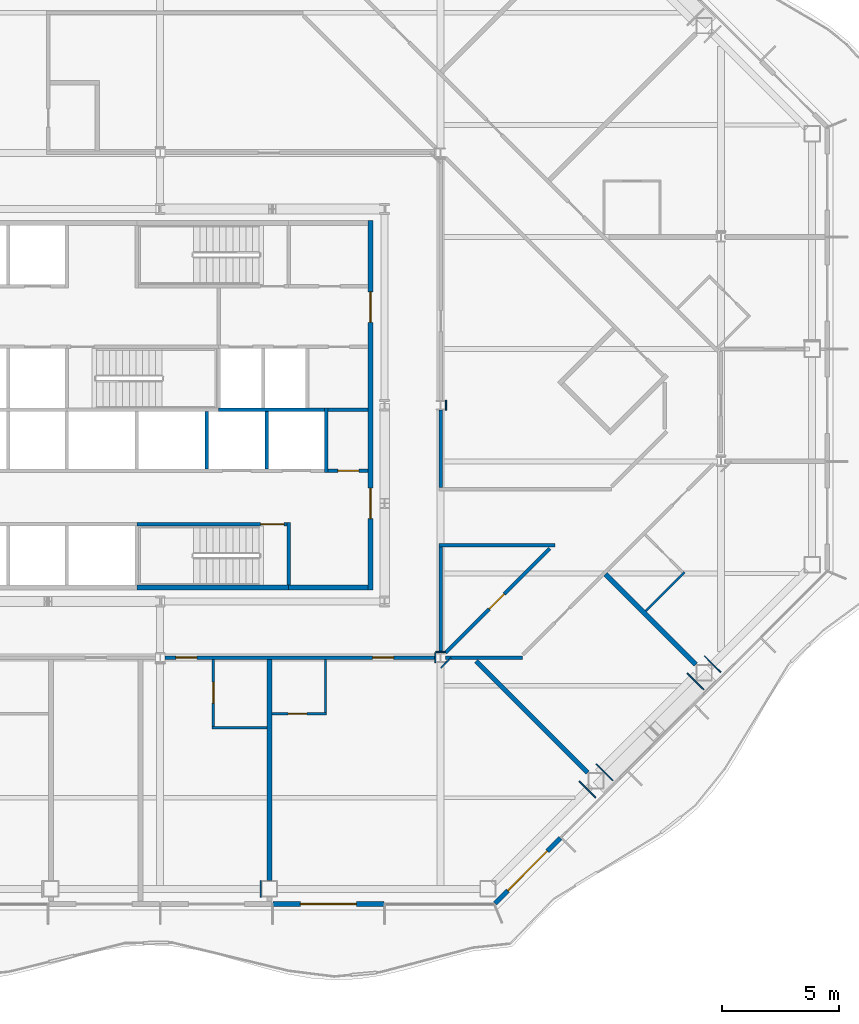
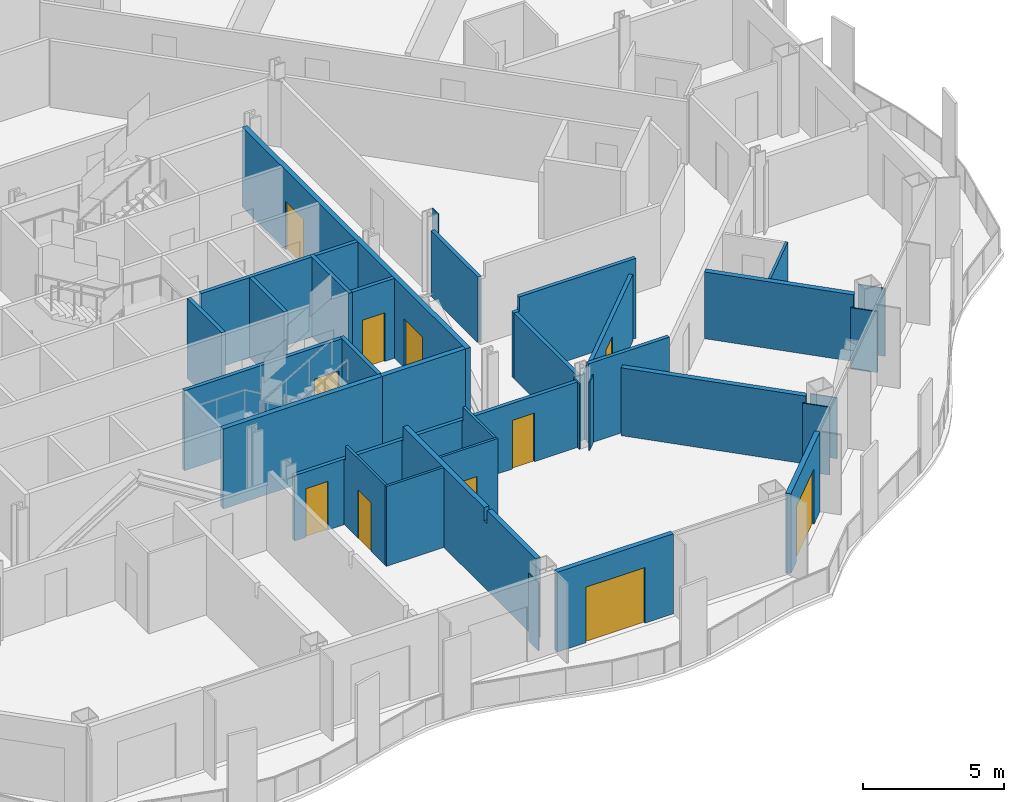
# One storey, part 9 of 21: 36 walls, 11 doors, 11 openings.
"""IFC4 building model written with IfcOpenShell, lengths in metres."""

from ifc_helpers import new_model, si_unit, direction, frame, frame_2d, origin, place, context, subcontext, project, spatial, polyline, rectangle, outline, extrude, material, layer, layer_set, type_object, element, fill, save


model = new_model("IFC4")

# Units and contexts
model_context = context("Model", 3, precision=1e-05, world=origin(), true_north=direction((0.0, 1.0)))
body_context = subcontext(model_context, "Body", "Model", "MODEL_VIEW")
ifc_project = project(units=[si_unit("LENGTHUNIT", "METRE"), si_unit("AREAUNIT", "SQUARE_METRE"), si_unit("VOLUMEUNIT", "CUBIC_METRE"), si_unit("PLANEANGLEUNIT", "RADIAN"), si_unit("MASSUNIT", "GRAM", prefix="KILO")], contexts=[model_context])

# Site, building, storey
site_placement = place(None, origin())
site = spatial("IfcSite", under=ifc_project, at=site_placement, CompositionType="ELEMENT")
building_placement = place(site_placement, origin())
building = spatial("IfcBuilding", under=site, at=building_placement, Name="Cairn Pilgrim Tower", CompositionType="ELEMENT")
storey_placement = place(building_placement, frame((0.0, 0.0, 129.0)))
storey = spatial("IfcBuildingStorey", under=building, at=storey_placement, Name="L31", CompositionType="ELEMENT", Elevation=129.0)

# Wall, opening, door
ifc_material_1 = material(Name="Bronze anodised aluminium insulated sandwich panel with mineral wool fill", Category="aluminium")
ifc_layer_1 = layer(ifc_material_1, 0.199951171875)
ifc_layer_set_1 = layer_set([ifc_layer_1], Name="BRONZE INFILL FRAME WALL 200")
wall_type_1 = type_object("IfcWallType", Name="BRONZE INFILL FRAME WALL 200", PredefinedType="NOTDEFINED", material=ifc_layer_set_1)
wall_1_placement = place(storey_placement, frame((12.030029296875, -18.949951171875, 0.0), z_axis=(0.0, 0.0, 1.0), x_axis=(1.0, 0.0, 0.0)))
wall_1 = element("IfcWall", 1, at=wall_1_placement, inside=storey, type_object=wall_type_1, Name="Bronze infill frame wall IW-S5", PredefinedType="NOTDEFINED", context=body_context, shape_type="SweptSolid", body=[
    extrude(rectangle(XDim=4.739990234375, YDim=0.199951171875, at=frame_2d((2.3701171875, 0.0))), origin(), (0.0, 0.0, 1.0), 3.449951171875),
])
opening_1_placement = place(wall_1_placement, frame((1.169677734375, 0.0, 0.0)))
opening_1 = element("IfcOpeningElement", 2, at=opening_1_placement, cuts=wall_1, Name="Opening 3102B", PredefinedType="OPENING", context=body_context, shape_type="SweptSolid", body=[
    extrude(rectangle(XDim=2.39990234375, YDim=2.39990234375, at=frame_2d((1.199951171875, 1.199951171875))), frame((0.0, 0.10986328125, 0.0), z_axis=(0.0, -1.0, 0.0), x_axis=(1.0, 0.0, 0.0)), (0.0, 0.0, 1.0), 0.219970703125),
])
ifc_material_2 = material(Name="Bronze anodised aluminium frame with tinted low-E glass", Category="aluminium")
door_type_1 = type_object("IfcDoorType", Name="BALCONY SLIDING DOOR 2400x2400", OperationType="DOUBLE_DOOR_SLIDING", PredefinedType="DOOR", material=ifc_material_2)
door_1_placement = place(opening_1_placement, origin())
door_1 = element("IfcDoor", 3, at=door_1_placement, inside=storey, type_object=door_type_1, Name="Balcony sliding door 3102B", OperationType="SINGLE_SWING_LEFT", OverallHeight=2.39990234375, OverallWidth=2.39990234375, PredefinedType="DOOR", context=body_context, shape_type="SweptSolid", body=[
    extrude(rectangle(XDim=2.39990234375, YDim=2.39990234375, at=frame_2d((1.199951171875, 1.199951171875))), frame((0.0, 0.02490234375, 0.0), z_axis=(0.0, -1.0, 0.0), x_axis=(1.0, 0.0, 0.0)), (0.0, 0.0, 1.0), 0.050048828125),
])
fill(opening_1, door_1)

wall_2_placement = place(storey_placement, frame((21.524658203125, -18.921630859375, 0.0), z_axis=(0.0, 0.0, 1.0), x_axis=(0.707137595296, 0.707075965734, 0.0)))
wall_2 = element("IfcWall", 4, at=wall_2_placement, inside=storey, type_object=wall_type_1, Name="Bronze infill frame wall IW-SE1", PredefinedType="NOTDEFINED", context=body_context, shape_type="SweptSolid", body=[
    extrude(rectangle(XDim=3.96142578125, YDim=0.199951171875, at=frame_2d((1.980712890625, 0.0))), origin(), (0.0, 0.0, 1.0), 3.449951171875),
])
opening_2_placement = place(wall_2_placement, frame((0.775390625, 0.0, 0.0)))
opening_2 = element("IfcOpeningElement", 5, at=opening_2_placement, cuts=wall_2, Name="Opening 3102B2", PredefinedType="OPENING", context=body_context, shape_type="SweptSolid", body=[
    extrude(rectangle(XDim=2.39990234375, YDim=2.39990234375, at=frame_2d((1.199951171875, 1.199951171875))), frame((0.0, 0.10986328125, 0.0), z_axis=(0.0, -1.0, 0.0), x_axis=(1.0, 0.0, 0.0)), (0.0, 0.0, 1.0), 0.219970703125),
])
door_2_placement = place(opening_2_placement, origin())
door_2 = element("IfcDoor", 6, at=door_2_placement, inside=storey, type_object=door_type_1, Name="Balcony sliding door 3102B2", OperationType="SINGLE_SWING_LEFT", OverallHeight=2.39990234375, OverallWidth=2.39990234375, PredefinedType="DOOR", context=body_context, shape_type="SweptSolid", body=[
    extrude(rectangle(XDim=2.39990234375, YDim=2.39990234375, at=frame_2d((1.199951171875, 1.199951171875))), frame((0.0, 0.02490234375, 0.0), z_axis=(0.0, -1.0, 0.0), x_axis=(1.0, 0.0, 0.0)), (0.0, 0.0, 1.0), 0.050048828125),
])
fill(opening_2, door_2)

# Wall
ifc_material_3 = material(Name="Concrete C32/40", Category="concrete")
ifc_layer_2 = layer(ifc_material_3, 0.199951171875)
ifc_layer_set_2 = layer_set([ifc_layer_2], Name="CORE OUTER WALL 200 EI 120")
wall_type_2 = type_object("IfcWallType", Name="CORE OUTER WALL 200 EI 120", PredefinedType="SOLIDWALL", material=ifc_layer_set_2)
wall_3_placement = place(storey_placement, frame((12.699951171875, -5.39990234375, 0.0), z_axis=(0.0, 0.0, 1.0), x_axis=(1.0, 0.0, 0.0)))
element("IfcWall", 7, at=wall_3_placement, inside=storey, type_object=wall_type_2, Name="CW:L31:H01-3", PredefinedType="SOLIDWALL", context=body_context, shape_type="SweptSolid", body=[
    extrude(rectangle(XDim=3.400146484375, YDim=0.199951171875, at=frame_2d((1.7001953125, 0.0))), origin(), (0.0, 0.0, 1.0), 3.449951171875),
])

# Wall, openings, doors
wall_4_placement = place(storey_placement, frame((16.199951171875, -5.5, 0.0), z_axis=(0.0, 0.0, 1.0), x_axis=(0.0, 1.0, 0.0)))
wall_4 = element("IfcWall", 8, at=wall_4_placement, inside=storey, type_object=wall_type_2, Name="CW:L31:V32", PredefinedType="SOLIDWALL", context=body_context, shape_type="SweptSolid", body=[
    extrude(rectangle(XDim=15.800048828125, YDim=0.199951171875, at=frame_2d((7.89990234375, 0.0))), origin(), (0.0, 0.0, 1.0), 3.449951171875),
])
opening_3_placement = place(wall_4_placement, frame((3.050048828125, 0.0, 0.0)))
opening_3 = element("IfcOpeningElement", 9, at=opening_3_placement, cuts=wall_4, Name="Opening CD-E1", PredefinedType="OPENING", context=body_context, shape_type="SweptSolid", body=[
    extrude(rectangle(XDim=1.300048828125, YDim=2.10009765625, at=frame_2d((0.64990234375, 1.050048828125))), frame((0.0, 0.10986328125, 0.0), z_axis=(0.0, -1.0, 0.0), x_axis=(1.0, 0.0, 0.0)), (0.0, 0.0, 1.0), 0.219970703125),
])
opening_4_placement = place(wall_4_placement, frame((11.449951171875, 0.0, 0.0)))
opening_4 = element("IfcOpeningElement", 10, at=opening_4_placement, cuts=wall_4, Name="Opening CD-E2", PredefinedType="OPENING", context=body_context, shape_type="SweptSolid", body=[
    extrude(rectangle(XDim=1.300048828125, YDim=2.10009765625, at=frame_2d((0.64990234375, 1.050048828125))), frame((0.0, 0.10986328125, 0.0), z_axis=(0.0, -1.0, 0.0), x_axis=(1.0, 0.0, 0.0)), (0.0, 0.0, 1.0), 0.219970703125),
])
ifc_material_4 = material(Name="Painted steel", Category="steel")
door_type_2 = type_object("IfcDoorType", Name="CORE LOBBY DOOR 1300x2100", OperationType="DOUBLE_DOOR_SINGLE_SWING", PredefinedType="DOOR", material=ifc_material_4)
door_3_placement = place(opening_3_placement, origin())
door_3 = element("IfcDoor", 11, at=door_3_placement, inside=storey, type_object=door_type_2, Name="CD-E1", OperationType="DOUBLE_DOOR_SINGLE_SWING", OverallHeight=2.10009765625, OverallWidth=1.300048828125, PredefinedType="DOOR", context=body_context, shape_type="SweptSolid", body=[
    extrude(rectangle(XDim=1.300048828125, YDim=2.10009765625, at=frame_2d((0.64990234375, 1.050048828125))), frame((0.0, 0.02490234375, 0.0), z_axis=(0.0, -1.0, 0.0), x_axis=(1.0, 0.0, 0.0)), (0.0, 0.0, 1.0), 0.050048828125),
])
fill(opening_3, door_3)
door_4_placement = place(opening_4_placement, origin())
door_4 = element("IfcDoor", 12, at=door_4_placement, inside=storey, type_object=door_type_2, Name="CD-E2", OperationType="DOUBLE_DOOR_SINGLE_SWING", OverallHeight=2.10009765625, OverallWidth=1.300048828125, PredefinedType="DOOR", context=body_context, shape_type="SweptSolid", body=[
    extrude(rectangle(XDim=1.300048828125, YDim=2.10009765625, at=frame_2d((0.64990234375, 1.050048828125))), frame((0.0, 0.02490234375, 0.0), z_axis=(0.0, -1.0, 0.0), x_axis=(1.0, 0.0, 0.0)), (0.0, 0.0, 1.0), 0.050048828125),
])
fill(opening_4, door_4)

# Wall, opening, door
ifc_layer_3 = layer(ifc_material_3, 0.14990234375)
ifc_layer_set_3 = layer_set([ifc_layer_3], Name="CORE PARTITION 150 EI 60")
wall_type_3 = type_object("IfcWallType", Name="CORE PARTITION 150 EI 60", PredefinedType="PARTITIONING", material=ifc_layer_set_3)
wall_5_placement = place(storey_placement, frame((14.375, -0.39990234375, 0.0), z_axis=(0.0, 0.0, 1.0), x_axis=(1.0, 0.0, 0.0)))
wall_5 = element("IfcWall", 13, at=wall_5_placement, inside=storey, type_object=wall_type_3, Name="CW:L31:H04", PredefinedType="PARTITIONING", context=body_context, shape_type="SweptSolid", body=[
    extrude(rectangle(XDim=1.72509765625, YDim=0.14990234375, at=frame_2d((0.862548828125, 0.0))), origin(), (0.0, 0.0, 1.0), 3.449951171875),
])
opening_5_placement = place(wall_5_placement, frame((0.425048828125, 0.0, 0.0)))
opening_5 = element("IfcOpeningElement", 14, at=opening_5_placement, cuts=wall_5, Name="Opening RD-R2E", PredefinedType="OPENING", context=body_context, shape_type="SweptSolid", body=[
    extrude(rectangle(XDim=0.89990234375, YDim=2.10009765625, at=frame_2d((0.449951171875, 1.050048828125))), frame((0.0, 0.0849609375, 0.0), z_axis=(0.0, -1.0, 0.0), x_axis=(1.0, 0.0, 0.0)), (0.0, 0.0, 1.0), 0.169921875),
])
door_type_3 = type_object("IfcDoorType", Name="SERVICE ROOM DOOR 900x2100", OperationType="SINGLE_SWING_LEFT", PredefinedType="DOOR", material=ifc_material_4)
door_5_placement = place(opening_5_placement, origin())
door_5 = element("IfcDoor", 15, at=door_5_placement, inside=storey, type_object=door_type_3, Name="RD-R2E", OperationType="SINGLE_SWING_RIGHT", OverallHeight=2.10009765625, OverallWidth=0.89990234375, PredefinedType="DOOR", context=body_context, shape_type="SweptSolid", body=[
    extrude(rectangle(XDim=0.89990234375, YDim=2.10009765625, at=frame_2d((0.449951171875, 1.050048828125))), frame((0.0, 0.02490234375, 0.0), z_axis=(0.0, -1.0, 0.0), x_axis=(1.0, 0.0, 0.0)), (0.0, 0.0, 1.0), 0.050048828125),
])
fill(opening_5, door_5)

# Walls
wall_6_placement = place(storey_placement, frame((14.375, 2.199951171875, 0.0), z_axis=(0.0, 0.0, 1.0), x_axis=(1.0, 0.0, 0.0)))
element("IfcWall", 16, at=wall_6_placement, inside=storey, type_object=wall_type_3, Name="CW:L31:H06", PredefinedType="PARTITIONING", context=body_context, shape_type="SweptSolid", body=[
    extrude(rectangle(XDim=1.72509765625, YDim=0.14990234375, at=frame_2d((0.862548828125, 0.0))), origin(), (0.0, 0.0, 1.0), 3.449951171875),
])
ifc_layer_4 = layer(ifc_material_3, 0.14990234375)
ifc_layer_set_4 = layer_set([ifc_layer_4], Name="CORE SHAFT WALL 150 EI 120")
wall_type_4 = type_object("IfcWallType", Name="CORE SHAFT WALL 150 EI 120", PredefinedType="SOLIDWALL", material=ifc_layer_set_4)
wall_7_placement = place(storey_placement, frame((9.699951171875, 2.199951171875, 0.0), z_axis=(0.0, 0.0, 1.0), x_axis=(1.0, 0.0, 0.0)))
element("IfcWall", 17, at=wall_7_placement, inside=storey, type_object=wall_type_4, Name="CW:L31:H05-3", PredefinedType="SOLIDWALL", context=body_context, shape_type="SweptSolid", body=[
    extrude(rectangle(XDim=4.525146484375, YDim=0.14990234375, at=frame_2d((2.2626953125, 0.0))), origin(), (0.0, 0.0, 1.0), 3.449951171875),
])
for number, where, z_axis, x_axis, name in (
    (18, (9.199951171875, -0.324951171875, 0.0), (0.0, 0.0, 1.0), (0.0, 1.0, 0.0), "CW:L31:V23"),
    (19, (11.75, -0.324951171875, 0.0), (0.0, 0.0, 1.0), (0.0, 1.0, 0.0), "CW:L31:V27"),
):
    element("IfcWall", number, at=place(storey_placement, frame(where, z_axis=z_axis, x_axis=x_axis)), inside=storey, type_object=wall_type_4, Name=name, PredefinedType="SOLIDWALL", context=body_context, shape_type="SweptSolid", body=[
        extrude(rectangle(XDim=2.449951171875, YDim=0.14990234375, at=frame_2d((1.22509765625, 0.0))), origin(), (0.0, 0.0, 1.0), 3.449951171875),
    ])
wall_8_placement = place(storey_placement, frame((14.300048828125, -0.47509765625, 0.0), z_axis=(0.0, 0.0, 1.0), x_axis=(0.0, 1.0, 0.0)))
element("IfcWall", 20, at=wall_8_placement, inside=storey, type_object=wall_type_4, Name="CW:L31:V31", PredefinedType="SOLIDWALL", context=body_context, shape_type="SweptSolid", body=[
    extrude(rectangle(XDim=2.75, YDim=0.14990234375, at=frame_2d((1.375, 0.0))), origin(), (0.0, 0.0, 1.0), 3.449951171875),
])
ifc_material_5 = material(Name="Gypsum partition")
ifc_layer_5 = layer(ifc_material_5, 0.10009765625)
ifc_layer_set_5 = layer_set([ifc_layer_5], Name="PARTITION 100 DRYWALL")
wall_type_5 = type_object("IfcWallType", Name="PARTITION 100 DRYWALL", PredefinedType="PARTITIONING", material=ifc_layer_set_5)
wall_9_placement = place(storey_placement, frame((9.426025390625, -11.39990234375, 0.0), z_axis=(0.0, 0.0, 1.0), x_axis=(1.0, 0.0, 0.0)))
element("IfcWall", 21, at=wall_9_placement, inside=storey, type_object=wall_type_5, Name="PARTITION W008", PredefinedType="PARTITIONING", context=body_context, shape_type="SweptSolid", body=[
    extrude(rectangle(XDim=2.349853515625, YDim=0.10009765625, at=frame_2d((1.1748046875, 0.0))), origin(), (0.0, 0.0, 1.0), 3.449951171875),
])

# Wall, opening, door
wall_10_placement = place(storey_placement, frame((9.47607421875, -11.35009765625, 0.0), z_axis=(0.0, 0.0, 1.0), x_axis=(0.0, 1.0, 0.0)))
wall_10 = element("IfcWall", 22, at=wall_10_placement, inside=storey, type_object=wall_type_5, Name="PARTITION W009", PredefinedType="PARTITIONING", context=body_context, shape_type="SweptSolid", body=[
    extrude(outline(polyline([(0.0, 0.0), (2.875, 0.0), (2.875, 2.830078125), (2.800048828125, 2.830078125), (2.798095703125, 3.449951171875), (0.0, 3.449951171875), (0.0, 0.0)])), frame((0.0, 0.050048828125, 0.0), z_axis=(0.0, -1.0, 0.0), x_axis=(1.0, 0.0, 0.0)), (0.0, 0.0, 1.0), 0.10009765625),
])
opening_6_placement = place(wall_10_placement, frame((1.0, 0.0, 0.0)))
opening_6 = element("IfcOpeningElement", 23, at=opening_6_placement, cuts=wall_10, Name="Opening 3101A", PredefinedType="OPENING", context=body_context, shape_type="SweptSolid", body=[
    extrude(rectangle(XDim=0.89990234375, YDim=2.10009765625, at=frame_2d((0.449951171875, 1.050048828125))), frame((0.0, 0.06005859375, 0.0), z_axis=(0.0, -1.0, 0.0), x_axis=(1.0, 0.0, 0.0)), (0.0, 0.0, 1.0), 0.1201171875),
])
ifc_material_6 = material(Name="Timber door leaf", Category="wood")
door_type_4 = type_object("IfcDoorType", Name="WC DOOR 900x2100", OperationType="NOTDEFINED", PredefinedType="DOOR", material=ifc_material_6)
door_6_placement = place(opening_6_placement, origin())
door_6 = element("IfcDoor", 24, at=door_6_placement, inside=storey, type_object=door_type_4, Name="DOOR 3101A", OperationType="SINGLE_SWING_LEFT", OverallHeight=2.10009765625, OverallWidth=0.89990234375, PredefinedType="DOOR", context=body_context, shape_type="SweptSolid", body=[
    extrude(rectangle(XDim=0.89990234375, YDim=2.10009765625, at=frame_2d((0.449951171875, 1.050048828125))), frame((0.0, 0.02490234375, 0.0), z_axis=(0.0, -1.0, 0.0), x_axis=(1.0, 0.0, 0.0)), (0.0, 0.0, 1.0), 0.050048828125),
])
fill(opening_6, door_6)

wall_11_placement = place(storey_placement, frame((11.97607421875, -10.800048828125, 0.0), z_axis=(0.0, 0.0, 1.0), x_axis=(1.0, 0.0, 0.0)))
wall_11 = element("IfcWall", 25, at=wall_11_placement, inside=storey, type_object=wall_type_5, Name="PARTITION W012", PredefinedType="PARTITIONING", context=body_context, shape_type="SweptSolid", body=[
    extrude(rectangle(XDim=2.349853515625, YDim=0.10009765625, at=frame_2d((1.1748046875, 0.0))), origin(), (0.0, 0.0, 1.0), 3.449951171875),
])
opening_7_placement = place(wall_11_placement, frame((0.699951171875, 0.0, 0.0)))
opening_7 = element("IfcOpeningElement", 26, at=opening_7_placement, cuts=wall_11, Name="Opening 3102A", PredefinedType="OPENING", context=body_context, shape_type="SweptSolid", body=[
    extrude(rectangle(XDim=0.800048828125, YDim=2.10009765625, at=frame_2d((0.39990234375, 1.050048828125))), frame((0.0, 0.06005859375, 0.0), z_axis=(0.0, -1.0, 0.0), x_axis=(1.0, 0.0, 0.0)), (0.0, 0.0, 1.0), 0.1201171875),
])
door_type_5 = type_object("IfcDoorType", Name="WC DOOR 800x2100", OperationType="NOTDEFINED", PredefinedType="DOOR", material=ifc_material_6)
door_7_placement = place(opening_7_placement, frame((0.800048828125, 0.0, 0.0), z_axis=(0.0, 0.0, 1.0), x_axis=(-1.0, 0.0, 0.0)))
door_7 = element("IfcDoor", 27, at=door_7_placement, inside=storey, type_object=door_type_5, Name="DOOR 3102A", OperationType="SINGLE_SWING_LEFT", OverallHeight=2.10009765625, OverallWidth=0.800048828125, PredefinedType="DOOR", context=body_context, shape_type="SweptSolid", body=[
    extrude(rectangle(XDim=0.800048828125, YDim=2.10009765625, at=frame_2d((0.39990234375, 1.050048828125))), frame((0.0, 0.02490234375, 0.0), z_axis=(0.0, -1.0, 0.0), x_axis=(1.0, 0.0, 0.0)), (0.0, 0.0, 1.0), 0.050048828125),
])
fill(opening_7, door_7)

# Walls
wall_12_placement = place(storey_placement, frame((14.27587890625, -10.75, 0.0), z_axis=(0.0, 0.0, 1.0), x_axis=(0.0, 1.0, 0.0)))
element("IfcWall", 28, at=wall_12_placement, inside=storey, type_object=wall_type_5, Name="PARTITION W013", PredefinedType="PARTITIONING", context=body_context, shape_type="SweptSolid", body=[
    extrude(outline(polyline([(0.0, 0.0), (2.27490234375, 0.0), (2.27490234375, 2.830078125), (2.199951171875, 2.830078125), (2.197998046875, 3.449951171875), (0.0, 3.449951171875), (0.0, 0.0)])), frame((0.0, 0.050048828125, 0.0), z_axis=(0.0, -1.0, 0.0), x_axis=(1.0, 0.0, 0.0)), (0.0, 0.0, 1.0), 0.10009765625),
])
wall_13_placement = place(storey_placement, frame((27.976806640625, -6.411376953125, 0.0), z_axis=(0.0, 0.0, 1.0), x_axis=(0.707054828152, 0.707158730404, 0.0)))
element("IfcWall", 29, at=wall_13_placement, inside=storey, type_object=wall_type_5, Name="PARTITION W027", PredefinedType="PARTITIONING", context=body_context, shape_type="SweptSolid", body=[
    extrude(rectangle(XDim=2.349609375, YDim=0.10009765625, at=frame_2d((1.1748046875, 0.0))), origin(), (0.0, 0.0, 1.0), 2.8798828125),
])

# Wall, openings, doors
ifc_layer_6 = layer(ifc_material_5, 0.14990234375)
ifc_layer_set_6 = layer_set([ifc_layer_6], Name="PARTITION 150 DRYWALL EI 60")
wall_type_6 = type_object("IfcWallType", Name="PARTITION 150 DRYWALL EI 60", PredefinedType="PARTITIONING", material=ifc_layer_set_6)
wall_14_placement = place(storey_placement, frame((7.404541015625, -8.39990234375, 0.0), z_axis=(0.0, 0.0, 1.0), x_axis=(1.0, 0.0, 0.0)))
wall_14 = element("IfcWall", 30, at=wall_14_placement, inside=storey, type_object=wall_type_6, Name="PARTITION W019", PredefinedType="PARTITIONING", context=body_context, shape_type="SweptSolid", body=[
    extrude(rectangle(XDim=11.591064453125, YDim=0.14990234375, at=frame_2d((5.79541015625, 0.0))), origin(), (0.0, 0.0, 1.0), 2.830078125),
])
opening_8_placement = place(wall_14_placement, frame((0.46240234375, 0.0, 0.0)))
opening_8 = element("IfcOpeningElement", 31, at=opening_8_placement, cuts=wall_14, Name="Opening 3101", PredefinedType="OPENING", context=body_context, shape_type="SweptSolid", body=[
    extrude(rectangle(XDim=0.89990234375, YDim=2.10009765625, at=frame_2d((0.449951171875, 1.050048828125))), frame((0.0, 0.0849609375, 0.0), z_axis=(0.0, -1.0, 0.0), x_axis=(1.0, 0.0, 0.0)), (0.0, 0.0, 1.0), 0.169921875),
])
opening_9_placement = place(wall_14_placement, frame((8.883544921875, 0.0, 0.0)))
opening_9 = element("IfcOpeningElement", 32, at=opening_9_placement, cuts=wall_14, Name="Opening 3102", PredefinedType="OPENING", context=body_context, shape_type="SweptSolid", body=[
    extrude(rectangle(XDim=0.89990234375, YDim=2.10009765625, at=frame_2d((0.449951171875, 1.050048828125))), frame((0.0, 0.0849609375, 0.0), z_axis=(0.0, -1.0, 0.0), x_axis=(1.0, 0.0, 0.0)), (0.0, 0.0, 1.0), 0.169921875),
])
door_type_6 = type_object("IfcDoorType", Name="ROOM DOOR 900x2100 FD30S", OperationType="NOTDEFINED", PredefinedType="DOOR", material=ifc_material_6)
door_8_placement = place(opening_8_placement, frame((0.89990234375, 0.0, 0.0), z_axis=(0.0, 0.0, 1.0), x_axis=(-1.0, 0.0, 0.0)))
door_8 = element("IfcDoor", 33, at=door_8_placement, inside=storey, type_object=door_type_6, Name="DOOR 3101", OperationType="SINGLE_SWING_LEFT", OverallHeight=2.10009765625, OverallWidth=0.89990234375, PredefinedType="DOOR", context=body_context, shape_type="SweptSolid", body=[
    extrude(rectangle(XDim=0.89990234375, YDim=2.10009765625, at=frame_2d((0.449951171875, 1.050048828125))), frame((0.0, 0.02490234375, 0.0), z_axis=(0.0, -1.0, 0.0), x_axis=(1.0, 0.0, 0.0)), (0.0, 0.0, 1.0), 0.050048828125),
])
fill(opening_8, door_8)
door_9_placement = place(opening_9_placement, frame((0.89990234375, 0.0, 0.0), z_axis=(0.0, 0.0, 1.0), x_axis=(-1.0, 0.0, 0.0)))
door_9 = element("IfcDoor", 34, at=door_9_placement, inside=storey, type_object=door_type_6, Name="DOOR 3102", OperationType="SINGLE_SWING_LEFT", OverallHeight=2.10009765625, OverallWidth=0.89990234375, PredefinedType="DOOR", context=body_context, shape_type="SweptSolid", body=[
    extrude(rectangle(XDim=0.89990234375, YDim=2.10009765625, at=frame_2d((0.449951171875, 1.050048828125))), frame((0.0, 0.02490234375, 0.0), z_axis=(0.0, -1.0, 0.0), x_axis=(1.0, 0.0, 0.0)), (0.0, 0.0, 1.0), 0.050048828125),
])
fill(opening_9, door_9)

# Walls
wall_15_placement = place(storey_placement, frame((19.404541015625, -8.39990234375, 0.0), z_axis=(0.0, 0.0, 1.0), x_axis=(1.0, 0.0, 0.0)))
element("IfcWall", 35, at=wall_15_placement, inside=storey, type_object=wall_type_6, Name="PARTITION W020", PredefinedType="PARTITIONING", context=body_context, shape_type="SweptSolid", body=[
    extrude(rectangle(XDim=3.29541015625, YDim=0.14990234375, at=frame_2d((1.647705078125, 0.0))), origin(), (0.0, 0.0, 1.0), 3.449951171875),
])
wall_16_placement = place(storey_placement, frame((19.199951171875, -8.1875, 0.0), z_axis=(0.0, 0.0, 1.0), x_axis=(0.0, 1.0, 0.0)))
element("IfcWall", 36, at=wall_16_placement, inside=storey, type_object=wall_type_6, Name="PARTITION W025", PredefinedType="PARTITIONING", context=body_context, shape_type="SweptSolid", body=[
    extrude(rectangle(XDim=4.512451171875, YDim=0.14990234375, at=frame_2d((2.25634765625, 0.0))), origin(), (0.0, 0.0, 1.0), 2.830078125),
])

# Wall, opening, door
wall_17_placement = place(storey_placement, frame((19.408447265625, -8.19140625, 0.0), z_axis=(0.0, 0.0, 1.0), x_axis=(0.707126119272, 0.707087442572, 0.0)))
wall_17 = element("IfcWall", 37, at=wall_17_placement, inside=storey, type_object=wall_type_6, Name="PARTITION W026", PredefinedType="PARTITIONING", context=body_context, shape_type="SweptSolid", body=[
    extrude(rectangle(XDim=6.312255859375, YDim=0.14990234375, at=frame_2d((3.15625, 0.0))), origin(), (0.0, 0.0, 1.0), 2.8798828125),
])
opening_10_placement = place(wall_17_placement, frame((2.649169921875, 0.0, 0.0)))
opening_10 = element("IfcOpeningElement", 38, at=opening_10_placement, cuts=wall_17, Name="Opening 3120", PredefinedType="OPENING", context=body_context, shape_type="SweptSolid", body=[
    extrude(rectangle(XDim=0.89990234375, YDim=2.10009765625, at=frame_2d((0.449951171875, 1.050048828125))), frame((0.0, 0.0849609375, 0.0), z_axis=(0.0, -1.0, 0.0), x_axis=(1.0, 0.0, 0.0)), (0.0, 0.0, 1.0), 0.169921875),
])
door_type_7 = type_object("IfcDoorType", Name="SERVICE DOOR 900x2100 FD30S", OperationType="NOTDEFINED", PredefinedType="DOOR", material=ifc_material_6)
door_10_placement = place(opening_10_placement, origin())
door_10 = element("IfcDoor", 39, at=door_10_placement, inside=storey, type_object=door_type_7, Name="DOOR 3120", OperationType="SINGLE_SWING_LEFT", OverallHeight=2.10009765625, OverallWidth=0.89990234375, PredefinedType="DOOR", context=body_context, shape_type="SweptSolid", body=[
    extrude(rectangle(XDim=0.89990234375, YDim=2.10009765625, at=frame_2d((0.449951171875, 1.050048828125))), frame((0.0, 0.02490234375, 0.0), z_axis=(0.0, -1.0, 0.0), x_axis=(1.0, 0.0, 0.0)), (0.0, 0.0, 1.0), 0.050048828125),
])
fill(opening_10, door_10)

# Walls
wall_18_placement = place(storey_placement, frame((19.125, -3.60009765625, 0.0), z_axis=(0.0, 0.0, 1.0), x_axis=(1.0, 0.0, 0.0)))
element("IfcWall", 40, at=wall_18_placement, inside=storey, type_object=wall_type_6, Name="PARTITION W030", PredefinedType="PARTITIONING", context=body_context, shape_type="SweptSolid", body=[
    extrude(outline(polyline([(0.0, 0.0), (4.981201171875, 0.0), (4.981201171875, 3.449951171875), (0.22509765625, 3.449951171875), (0.222900390625, 2.830078125), (0.0, 2.830078125), (0.0, 0.0)])), frame((0.0, 0.074951171875, 0.0), z_axis=(0.0, -1.0, 0.0), x_axis=(1.0, 0.0, 0.0)), (0.0, 0.0, 1.0), 0.14990234375),
])
wall_19_placement = place(storey_placement, frame((19.199951171875, -1.125, 0.0), z_axis=(0.0, 0.0, 1.0), x_axis=(0.0, 1.0, 0.0)))
element("IfcWall", 41, at=wall_19_placement, inside=storey, type_object=wall_type_6, Name="PARTITION W036", PredefinedType="PARTITIONING", context=body_context, shape_type="SweptSolid", body=[
    extrude(rectangle(XDim=3.3125, YDim=0.14990234375, at=frame_2d((1.65625, 0.0))), origin(), (0.0, 0.0, 1.0), 2.830078125),
])
ifc_layer_7 = layer(ifc_material_5, 0.050048828125)
ifc_layer_set_7 = layer_set([ifc_layer_7], Name="PARTITION 50 DRYWALL EI 60")
wall_type_7 = type_object("IfcWallType", Name="PARTITION 50 DRYWALL EI 60", PredefinedType="PARTITIONING", material=ifc_layer_set_7)
wall_20_placement = place(storey_placement, frame((11.500732421875, -18.64990234375, 0.0), z_axis=(0.0, 0.0, 1.0), x_axis=(0.0, 1.0, 0.0)))
element("IfcWall", 42, at=wall_20_placement, inside=storey, type_object=wall_type_7, Name="COLUMN CASING WC02", PredefinedType="PARTITIONING", context=body_context, shape_type="SweptSolid", body=[
    extrude(rectangle(XDim=0.699951171875, YDim=0.050048828125, at=frame_2d((0.35009765625, 0.0))), origin(), (0.0, 0.0, 1.0), 2.929931640625),
])
wall_21_placement = place(storey_placement, frame((25.833740234375, -14.393310546875, 0.0), z_axis=(0.0, 0.0, 1.0), x_axis=(-0.707106781187, 0.707106781187, 0.0)))
element("IfcWall", 43, at=wall_21_placement, inside=storey, type_object=wall_type_7, Name="COLUMN CASING WC05", PredefinedType="PARTITIONING", context=body_context, shape_type="SweptSolid", body=[
    extrude(rectangle(XDim=0.989990234375, YDim=0.050048828125, at=frame_2d((0.4951171875, 0.0))), origin(), (0.0, 0.0, 1.0), 2.929931640625),
])
for number, where, z_axis, x_axis, name in (
    (44, (26.569091796875, -13.657958984375, 0.0), (0.0, 0.0, 1.0), (-0.707106781187, 0.707106781187, 0.0), "COLUMN CASING WC06"),
    (45, (30.4580078125, -9.769287109375, 0.0), (0.0, 0.0, 1.0), (-0.706983473703, 0.707230067171, 0.0), "COLUMN CASING WC08"),
):
    element("IfcWall", number, at=place(storey_placement, frame(where, z_axis=z_axis, x_axis=x_axis)), inside=storey, type_object=wall_type_7, Name=name, PredefinedType="PARTITIONING", context=body_context, shape_type="SweptSolid", body=[
        extrude(rectangle(XDim=0.989990234375, YDim=0.050048828125, at=frame_2d((0.4951171875, 0.0))), origin(), (0.0, 0.0, 1.0), 2.6298828125),
    ])
wall_22_placement = place(storey_placement, frame((31.193359375, -9.03369140625, 0.0), z_axis=(0.0, 0.0, 1.0), x_axis=(-0.707106781187, 0.707106781187, 0.0)))
element("IfcWall", 46, at=wall_22_placement, inside=storey, type_object=wall_type_7, Name="COLUMN CASING WC09", PredefinedType="PARTITIONING", context=body_context, shape_type="SweptSolid", body=[
    extrude(rectangle(XDim=0.989990234375, YDim=0.050048828125, at=frame_2d((0.4951171875, 0.0))), origin(), (0.0, 0.0, 1.0), 2.929931640625),
])
wall_23_placement = place(storey_placement, frame((18.99560546875, -8.16259765625, 0.0), z_axis=(0.0, 0.0, 1.0), x_axis=(1.0, 0.0, 0.0)))
element("IfcWall", 47, at=wall_23_placement, inside=storey, type_object=wall_type_7, Name="COLUMN CASING WC12", PredefinedType="PARTITIONING", context=body_context, shape_type="SweptSolid", body=[
    extrude(rectangle(XDim=0.408935546875, YDim=0.050048828125, at=frame_2d((0.20458984375, 0.0))), origin(), (0.0, 0.0, 1.0), 2.830078125),
])
wall_24_placement = place(storey_placement, frame((18.970458984375, -8.612548828125, 0.0), z_axis=(0.0, 0.0, 1.0), x_axis=(0.0, 1.0, 0.0)))
element("IfcWall", 48, at=wall_24_placement, inside=storey, type_object=wall_type_7, Name="COLUMN CASING WC15", PredefinedType="PARTITIONING", context=body_context, shape_type="SweptSolid", body=[
    extrude(rectangle(XDim=0.425048828125, YDim=0.050048828125, at=frame_2d((0.21240234375, 0.0))), origin(), (0.0, 0.0, 1.0), 2.830078125),
])
wall_25_placement = place(storey_placement, frame((19.2177734375, -8.834716796875, 0.0), z_axis=(0.0, 0.0, 1.0), x_axis=(0.707106781187, 0.707106781187, 0.0)))
element("IfcWall", 49, at=wall_25_placement, inside=storey, type_object=wall_type_7, Name="COLUMN CASING WC16", PredefinedType="PARTITIONING", context=body_context, shape_type="SweptSolid", body=[
    extrude(rectangle(XDim=0.589599609375, YDim=0.050048828125, at=frame_2d((0.294921875, 0.0))), origin(), (0.0, 0.0, 1.0), 2.929931640625),
])
wall_26_placement = place(storey_placement, frame((19.429443359375, 2.1875, 0.0), z_axis=(0.0, 0.0, 1.0), x_axis=(0.0, 1.0, 0.0)))
element("IfcWall", 50, at=wall_26_placement, inside=storey, type_object=wall_type_7, Name="COLUMN CASING WC21", PredefinedType="PARTITIONING", context=body_context, shape_type="SweptSolid", body=[
    extrude(rectangle(XDim=0.425048828125, YDim=0.050048828125, at=frame_2d((0.21240234375, 0.0))), origin(), (0.0, 0.0, 1.0), 3.449951171875),
])
ifc_layer_8 = layer(ifc_material_5, 0.199951171875)
ifc_layer_set_8 = layer_set([ifc_layer_8], Name="SHAFT WALL 200 GYPSUM EI 60")
wall_type_8 = type_object("IfcWallType", Name="SHAFT WALL 200 GYPSUM EI 60", PredefinedType="PARTITIONING", material=ifc_layer_set_8)
wall_27_placement = place(storey_placement, frame((11.8759765625, -17.949951171875, 0.0), z_axis=(0.0, 0.0, 1.0), x_axis=(0.0, 1.0, 0.0)))
element("IfcWall", 51, at=wall_27_placement, inside=storey, type_object=wall_type_8, Name="PARTITION W005", PredefinedType="PARTITIONING", context=body_context, shape_type="SweptSolid", body=[
    extrude(outline(polyline([(0.0, 0.0), (9.474853515625, 0.0), (9.47509765625, 2.830078125), (9.39990234375, 2.830078125), (9.39794921875, 3.449951171875), (3.655029296875, 3.449951171875), (3.653076171875, 2.8798828125), (3.445068359375, 2.8798828125), (3.443115234375, 3.449951171875), (0.0, 3.449951171875), (0.0, 0.0)])), frame((0.0, 0.10009765625, 0.0), z_axis=(0.0, -1.0, 0.0), x_axis=(1.0, 0.0, 0.0)), (0.0, 0.0, 1.0), 0.199951171875),
])
wall_28_placement = place(storey_placement, frame((25.501708984375, -13.32568359375, 0.0), z_axis=(0.0, 0.0, 1.0), x_axis=(-0.707106781187, 0.707106781187, 0.0)))
element("IfcWall", 52, at=wall_28_placement, inside=storey, type_object=wall_type_8, Name="PARTITION W007", PredefinedType="PARTITIONING", context=body_context, shape_type="SweptSolid", body=[
    extrude(rectangle(XDim=6.760009765625, YDim=0.199951171875, at=frame_2d((3.3798828125, 0.0))), origin(), (0.0, 0.0, 1.0), 2.929931640625),
])
wall_29_placement = place(storey_placement, frame((30.12548828125, -8.70166015625, 0.0), z_axis=(0.0, 0.0, 1.0), x_axis=(-0.707084440093, 0.707129121574, 0.0)))
element("IfcWall", 53, at=wall_29_placement, inside=storey, type_object=wall_type_8, Name="PARTITION W016", PredefinedType="PARTITIONING", context=body_context, shape_type="SweptSolid", body=[
    extrude(rectangle(XDim=5.464111328125, YDim=0.199951171875, at=frame_2d((2.73193359375, 0.0))), origin(), (0.0, 0.0, 1.0), 2.8798828125),
])

# Wall, opening, door
ifc_material_7 = material(Name="Concrete C35/45", Category="concrete")
ifc_layer_9 = layer(ifc_material_7, 0.14990234375)
ifc_layer_set_9 = layer_set([ifc_layer_9], Name="STAIR SHAFT WALL 150 EI 120")
wall_type_9 = type_object("IfcWallType", Name="STAIR SHAFT WALL 150 EI 120", PredefinedType="SOLIDWALL", material=ifc_layer_set_9)
wall_30_placement = place(storey_placement, frame((6.199951171875, -2.699951171875, 0.0), z_axis=(0.0, 0.0, 1.0), x_axis=(1.0, 0.0, 0.0)))
wall_30 = element("IfcWall", 54, at=wall_30_placement, inside=storey, type_object=wall_type_9, Name="CW:L31:H02-2", PredefinedType="SOLIDWALL", context=body_context, shape_type="SweptSolid", body=[
    extrude(rectangle(XDim=6.425048828125, YDim=0.14990234375, at=frame_2d((3.21240234375, 0.0))), origin(), (0.0, 0.0, 1.0), 3.449951171875),
])
opening_11_placement = place(wall_30_placement, frame((5.300048828125, 0.0, 0.0)))
opening_11 = element("IfcOpeningElement", 55, at=opening_11_placement, cuts=wall_30, Name="Opening SD-A", PredefinedType="OPENING", context=body_context, shape_type="SweptSolid", body=[
    extrude(rectangle(XDim=1.0, YDim=2.10009765625, at=frame_2d((0.5, 1.050048828125))), frame((0.0, 0.0849609375, 0.0), z_axis=(0.0, -1.0, 0.0), x_axis=(1.0, 0.0, 0.0)), (0.0, 0.0, 1.0), 0.169921875),
])
door_type_8 = type_object("IfcDoorType", Name="STAIR DOOR FD60S 1000x2100", OperationType="SINGLE_SWING_LEFT", PredefinedType="DOOR", material=ifc_material_4)
door_11_placement = place(opening_11_placement, origin())
door_11 = element("IfcDoor", 56, at=door_11_placement, inside=storey, type_object=door_type_8, Name="SD-A", OperationType="SINGLE_SWING_LEFT", OverallHeight=2.10009765625, OverallWidth=1.0, PredefinedType="DOOR", context=body_context, shape_type="SweptSolid", body=[
    extrude(rectangle(XDim=1.0, YDim=2.10009765625, at=frame_2d((0.5, 1.050048828125))), frame((0.0, 0.02490234375, 0.0), z_axis=(0.0, -1.0, 0.0), x_axis=(1.0, 0.0, 0.0)), (0.0, 0.0, 1.0), 0.050048828125),
])
fill(opening_11, door_11)

# Walls
wall_31_placement = place(storey_placement, frame((12.699951171875, -5.300048828125, 0.0), z_axis=(0.0, 0.0, 1.0), x_axis=(0.0, 1.0, 0.0)))
element("IfcWall", 57, at=wall_31_placement, inside=storey, type_object=wall_type_9, Name="CW:L31:V28", PredefinedType="SOLIDWALL", context=body_context, shape_type="SweptSolid", body=[
    extrude(rectangle(XDim=2.675048828125, YDim=0.14990234375, at=frame_2d((1.33740234375, 0.0))), origin(), (0.0, 0.0, 1.0), 3.449951171875),
])
ifc_layer_10 = layer(ifc_material_7, 0.199951171875)
ifc_layer_set_10 = layer_set([ifc_layer_10], Name="STAIR SHAFT WALL 200 EI 120")
wall_type_10 = type_object("IfcWallType", Name="STAIR SHAFT WALL 200 EI 120", PredefinedType="SOLIDWALL", material=ifc_layer_set_10)
wall_32_placement = place(storey_placement, frame((6.199951171875, -5.39990234375, 0.0), z_axis=(0.0, 0.0, 1.0), x_axis=(1.0, 0.0, 0.0)))
element("IfcWall", 58, at=wall_32_placement, inside=storey, type_object=wall_type_10, Name="CW:L31:H01-2", PredefinedType="SOLIDWALL", context=body_context, shape_type="SweptSolid", body=[
    extrude(rectangle(XDim=6.5, YDim=0.199951171875, at=frame_2d((3.25, 0.0))), origin(), (0.0, 0.0, 1.0), 3.449951171875),
])

save(model, "model.ifc")
